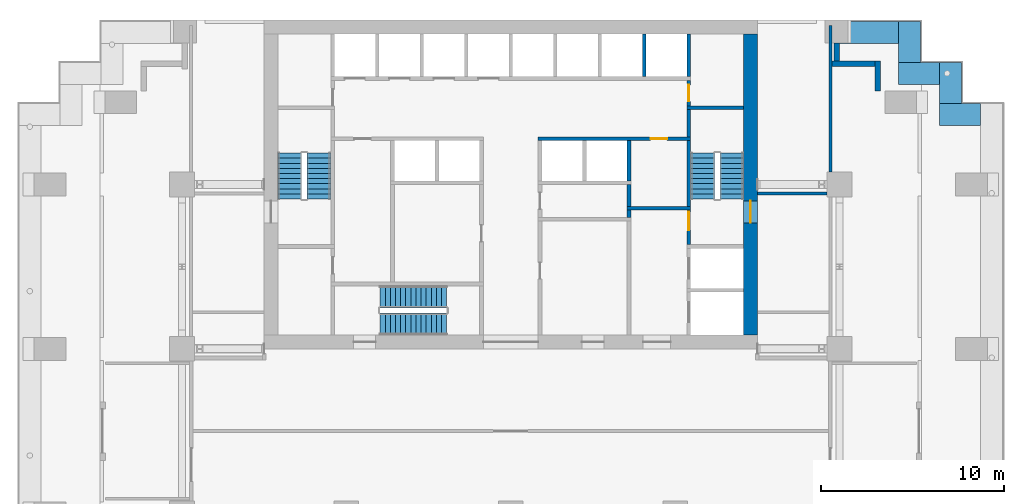
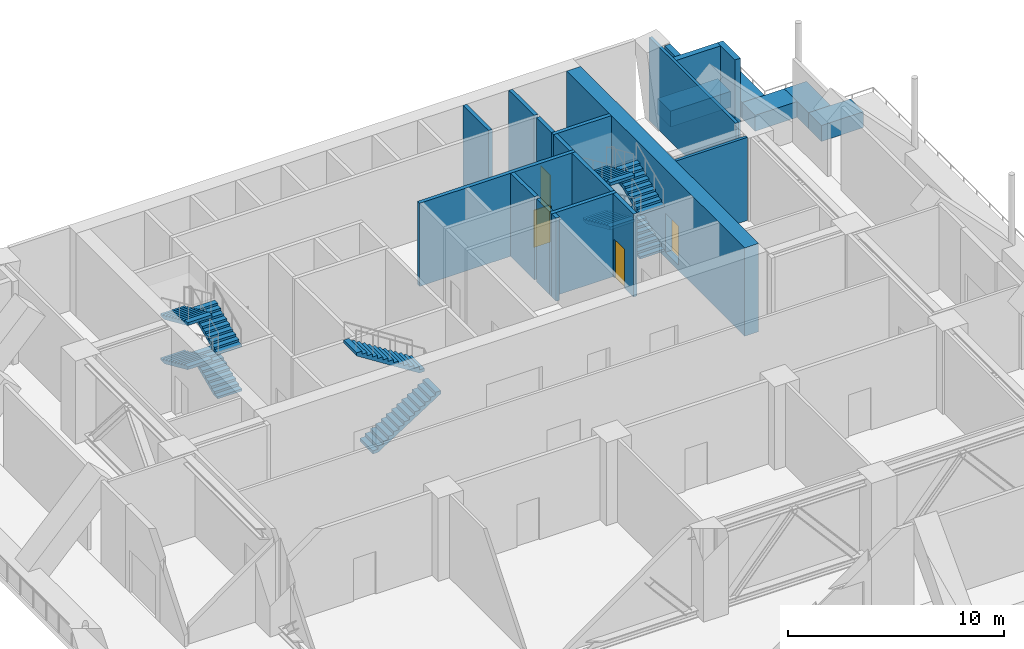
# One storey, part 5 of 9: 23 walls, 10 stair flights, 4 doors, 4 openings, 3 elements without a shape of their own.
"""IFC4 building model written with IfcOpenShell, lengths in metres."""

from ifc_helpers import new_model, si_unit, direction, frame, frame_2d, origin, place, context, subcontext, project, spatial, polyline, rectangle, outline, extrude, material, layer, layer_set, type_object, element, fill, aggregate, save


model = new_model("IFC4")

# Units and contexts
model_context = context("Model", 3, precision=1e-05, world=origin(), true_north=direction((0.0, 1.0)))
body_context = subcontext(model_context, "Body", "Model", "MODEL_VIEW")
ifc_project = project(units=[si_unit("LENGTHUNIT", "METRE"), si_unit("AREAUNIT", "SQUARE_METRE"), si_unit("VOLUMEUNIT", "CUBIC_METRE"), si_unit("PLANEANGLEUNIT", "RADIAN"), si_unit("MASSUNIT", "GRAM", prefix="KILO")], contexts=[model_context])

# Site, building, storey
site_placement = place(None, origin())
site = spatial("IfcSite", under=ifc_project, at=site_placement, CompositionType="ELEMENT")
building_placement = place(site_placement, origin())
building = spatial("IfcBuilding", under=site, at=building_placement, Name="Orbiselva Terraces", CompositionType="ELEMENT")
storey_placement = place(building_placement, frame((0.0, 0.0, 115.0)))
storey = spatial("IfcBuildingStorey", under=building, at=storey_placement, Name="L29", CompositionType="ELEMENT", Elevation=115.0)

# Wall, opening, door
ifc_material_1 = material(Name="Concrete C80/95", Category="concrete")
ifc_layer_1 = layer(ifc_material_1, 0.75)
ifc_layer_set_1 = layer_set([ifc_layer_1], Name="Concrete C80/95")
wall_type_1 = type_object("IfcWallType", Name="CORE WALL 750", PredefinedType="SHEAR", material=ifc_layer_set_1)
wall_1_placement = place(storey_placement, frame((13.125, 5.25, -0.3), z_axis=(0.0, 0.0, 1.0), x_axis=(0.0, 1.0, 0.0)))
wall_1 = element("IfcWall", 1, at=wall_1_placement, inside=storey, type_object=wall_type_1, Name="Core wall L29 east", PredefinedType="SHEAR", context=body_context, shape_type="SweptSolid", body=[
    extrude(rectangle(XDim=16.5, YDim=0.75, at=frame_2d((8.25, 0.0))), origin(), (0.0, 0.0, 1.0), 5.0),
])
opening_1_placement = place(wall_1_placement, frame((6.15, 0.0, 0.3)))
opening_1 = element("IfcOpeningElement", 2, at=opening_1_placement, cuts=wall_1, Name="Opening DS1200", PredefinedType="OPENING", context=body_context, shape_type="SweptSolid", body=[
    extrude(rectangle(XDim=1.2, YDim=2.2, at=frame_2d((0.6, 1.1))), frame((0.0, 0.385, 0.0), z_axis=(0.0, -1.0, 0.0), x_axis=(1.0, 0.0, 0.0)), (0.0, 0.0, 1.0), 0.77),
])
ifc_material_2 = material(Name="Steel fire door", Category="steel")
door_type_1 = type_object("IfcDoorType", Name="STAIR DOOR 1200", OperationType="NOTDEFINED", PredefinedType="DOOR", material=ifc_material_2)
door_1_placement = place(opening_1_placement, frame((1.2, 0.0, 0.0), z_axis=(0.0, 0.0, 1.0), x_axis=(-1.0, 0.0, 0.0)))
door_1 = element("IfcDoor", 3, at=door_1_placement, inside=storey, type_object=door_type_1, Name="L29 EXIT STAIR S2 door", OperationType="SINGLE_SWING_LEFT", OverallHeight=2.2, OverallWidth=1.2, PredefinedType="DOOR", context=body_context, shape_type="SweptSolid", body=[
    extrude(rectangle(XDim=1.2, YDim=2.2, at=frame_2d((0.6, 1.1))), frame((0.0, 0.025, 0.0), z_axis=(0.0, -1.0, 0.0), x_axis=(1.0, 0.0, 0.0)), (0.0, 0.0, 1.0), 0.05),
])
fill(opening_1, door_1)

# Wall
ifc_material_3 = material(Name="Masonry blockwork", Category="masonry")
ifc_layer_2 = layer(ifc_material_3, 0.2)
ifc_layer_set_2 = layer_set([ifc_layer_2], Name="Masonry blockwork")
wall_type_2 = type_object("IfcWallType", Name="CORE-WALL-PARTITION-200", PredefinedType="PARTITIONING", material=ifc_layer_set_2)
wall_2_placement = place(storey_placement, frame((6.475, 12.3, 0.0), z_axis=(0.0, 0.0, 1.0), x_axis=(0.0, 1.0, 0.0)))
element("IfcWall", 4, at=wall_2_placement, inside=storey, type_object=wall_type_2, Name="L29 core wall 35", PredefinedType="PARTITIONING", context=body_context, shape_type="SweptSolid", body=[
    extrude(rectangle(XDim=1.2, YDim=0.2, at=frame_2d((0.6, 0.0))), origin(), (0.0, 0.0, 1.0), 4.7),
])

# Wall, opening, door
wall_3_placement = place(storey_placement, frame((9.75, 19.2, 0.0), z_axis=(0.0, 0.0, 1.0), x_axis=(0.0, -1.0, 0.0)))
wall_3 = element("IfcWall", 5, at=wall_3_placement, inside=storey, type_object=wall_type_2, Name="L29 core wall 46", PredefinedType="PARTITIONING", context=body_context, shape_type="SweptSolid", body=[
    extrude(rectangle(XDim=1.4, YDim=0.2, at=frame_2d((0.7, 0.0))), origin(), (0.0, 0.0, 1.0), 4.7),
])
opening_2_placement = place(wall_3_placement, frame((0.25, 0.0, 0.0)))
opening_2 = element("IfcOpeningElement", 6, at=opening_2_placement, cuts=wall_3, Name="Opening DR900", PredefinedType="OPENING", context=body_context, shape_type="SweptSolid", body=[
    extrude(rectangle(XDim=0.9, YDim=2.1, at=frame_2d((0.45, 1.05))), frame((0.0, 0.11, 0.0), z_axis=(0.0, -1.0, 0.0), x_axis=(1.0, 0.0, 0.0)), (0.0, 0.0, 1.0), 0.22),
])
door_type_2 = type_object("IfcDoorType", Name="ROOM DOOR 900", OperationType="NOTDEFINED", PredefinedType="DOOR", material=ifc_material_2)
door_2_placement = place(opening_2_placement, origin())
door_2 = element("IfcDoor", 7, at=door_2_placement, inside=storey, type_object=door_type_2, Name="L29 REFUGE STAIR LOBBY door", OperationType="SINGLE_SWING_RIGHT", OverallHeight=2.1, OverallWidth=0.9, PredefinedType="DOOR", context=body_context, shape_type="SweptSolid", body=[
    extrude(rectangle(XDim=0.9, YDim=2.1, at=frame_2d((0.45, 1.05))), frame((0.0, 0.025, 0.0), z_axis=(0.0, -1.0, 0.0), x_axis=(1.0, 0.0, 0.0)), (0.0, 0.0, 1.0), 0.05),
])
fill(opening_2, door_2)

# Walls
ifc_material_4 = material(Name="Concrete C40/50", Category="concrete")
ifc_layer_3 = layer(ifc_material_4, 0.2)
ifc_layer_set_3 = layer_set([ifc_layer_3], Name="Concrete C40/50")
wall_type_3 = type_object("IfcWallType", Name="CORE-WALL-SHAFT-200", PredefinedType="PARTITIONING", material=ifc_layer_set_3)
wall_4_placement = place(storey_placement, frame((6.475, 13.7, 0.0), z_axis=(0.0, 0.0, 1.0), x_axis=(0.0, 1.0, 0.0)))
element("IfcWall", 8, at=wall_4_placement, inside=storey, type_object=wall_type_3, Name="L29 core wall 36", PredefinedType="PARTITIONING", context=body_context, shape_type="SweptSolid", body=[
    extrude(rectangle(XDim=2.2, YDim=0.2, at=frame_2d((1.1, 0.0))), origin(), (0.0, 0.0, 1.0), 4.7),
])
for number, where, z_axis, x_axis, name in (
    (9, (7.3125, 19.4, 0.0), (0.0, 0.0, 1.0), (0.0, 1.0, 0.0), "L29 core wall 37"),
    (10, (9.75, 19.4, 0.0), (0.0, 0.0, 1.0), (0.0, 1.0, 0.0), "L29 core wall 47"),
):
    element("IfcWall", number, at=place(storey_placement, frame(where, z_axis=z_axis, x_axis=x_axis)), inside=storey, type_object=wall_type_3, Name=name, PredefinedType="PARTITIONING", context=body_context, shape_type="SweptSolid", body=[
        extrude(rectangle(XDim=2.35, YDim=0.2, at=frame_2d((1.175, 0.0))), origin(), (0.0, 0.0, 1.0), 4.7),
    ])

# Wall, opening, door
ifc_material_5 = material(Name="Concrete C60/75", Category="concrete")
ifc_layer_4 = layer(ifc_material_5, 0.2)
ifc_layer_set_4 = layer_set([ifc_layer_4], Name="Concrete C60/75")
wall_type_4 = type_object("IfcWallType", Name="CORE-WALL-SHEAR-200", PredefinedType="SHEAR", material=ifc_layer_set_4)
wall_5_placement = place(storey_placement, frame((9.85, 16.0, 0.0), z_axis=(0.0, 0.0, 1.0), x_axis=(-1.0, 0.0, 0.0)))
wall_5 = element("IfcWall", 11, at=wall_5_placement, inside=storey, type_object=wall_type_4, Name="L29 core wall 28", PredefinedType="SHEAR", context=body_context, shape_type="SweptSolid", body=[
    extrude(rectangle(XDim=8.35, YDim=0.2, at=frame_2d((4.175, 0.0))), origin(), (0.0, 0.0, 1.0), 4.7),
])
opening_3_placement = place(wall_5_placement, frame((1.2875, 0.0, 0.0)))
opening_3 = element("IfcOpeningElement", 12, at=opening_3_placement, cuts=wall_5, Name="Opening DR900", PredefinedType="OPENING", context=body_context, shape_type="SweptSolid", body=[
    extrude(rectangle(XDim=0.9, YDim=2.1, at=frame_2d((0.45, 1.05))), frame((0.0, 0.11, 0.0), z_axis=(0.0, -1.0, 0.0), x_axis=(1.0, 0.0, 0.0)), (0.0, 0.0, 1.0), 0.22),
])
door_3_placement = place(opening_3_placement, origin())
door_3 = element("IfcDoor", 13, at=door_3_placement, inside=storey, type_object=door_type_2, Name="L29 MECHANICAL VENTILATION ROOM door", OperationType="SINGLE_SWING_LEFT", OverallHeight=2.1, OverallWidth=0.9, PredefinedType="DOOR", context=body_context, shape_type="SweptSolid", body=[
    extrude(rectangle(XDim=0.9, YDim=2.1, at=frame_2d((0.45, 1.05))), frame((0.0, 0.025, 0.0), z_axis=(0.0, -1.0, 0.0), x_axis=(1.0, 0.0, 0.0)), (0.0, 0.0, 1.0), 0.05),
])
fill(opening_3, door_3)

# Walls
wall_6_placement = place(storey_placement, frame((6.475, 11.7, 0.0), z_axis=(0.0, 0.0, 1.0), x_axis=(0.0, 1.0, 0.0)))
element("IfcWall", 14, at=wall_6_placement, inside=storey, type_object=wall_type_4, Name="L29 core wall 33", PredefinedType="SHEAR", context=body_context, shape_type="SweptSolid", body=[
    extrude(rectangle(XDim=0.4, YDim=0.2, at=frame_2d((0.2, 0.0))), origin(), (0.0, 0.0, 1.0), 4.7),
])
wall_7_placement = place(storey_placement, frame((6.375, 12.2, 0.0), z_axis=(0.0, 0.0, 1.0), x_axis=(1.0, 0.0, 0.0)))
element("IfcWall", 15, at=wall_7_placement, inside=storey, type_object=wall_type_4, Name="L29 core wall 34", PredefinedType="SHEAR", context=body_context, shape_type="SweptSolid", body=[
    extrude(rectangle(XDim=3.475, YDim=0.2, at=frame_2d((1.7375, 0.0))), origin(), (0.0, 0.0, 1.0), 4.7),
])

# Wall, opening, door
wall_8_placement = place(storey_placement, frame((9.75, 12.1, 0.0), z_axis=(0.0, 0.0, 1.0), x_axis=(0.0, -1.0, 0.0)))
wall_8 = element("IfcWall", 16, at=wall_8_placement, inside=storey, type_object=wall_type_4, Name="L29 core wall 42", PredefinedType="SHEAR", context=body_context, shape_type="SweptSolid", body=[
    extrude(rectangle(XDim=1.9, YDim=0.2, at=frame_2d((0.95, 0.0))), origin(), (0.0, 0.0, 1.0), 4.7),
])
opening_4_placement = place(wall_8_placement, frame((0.1, 0.0, 0.0)))
opening_4 = element("IfcOpeningElement", 17, at=opening_4_placement, cuts=wall_8, Name="Opening DS1000", PredefinedType="OPENING", context=body_context, shape_type="SweptSolid", body=[
    extrude(rectangle(XDim=1.0, YDim=2.2, at=frame_2d((0.5, 1.1))), frame((0.0, 0.11, 0.0), z_axis=(0.0, -1.0, 0.0), x_axis=(1.0, 0.0, 0.0)), (0.0, 0.0, 1.0), 0.22),
])
door_type_3 = type_object("IfcDoorType", Name="STAIR DOOR 1000", OperationType="NOTDEFINED", PredefinedType="DOOR", material=ifc_material_2)
door_4_placement = place(opening_4_placement, origin())
door_4 = element("IfcDoor", 18, at=door_4_placement, inside=storey, type_object=door_type_3, Name="L29 FIRE-FIGHTING LOBBY TO EXIT STAIR S2 door", OperationType="SINGLE_SWING_LEFT", OverallHeight=2.2, OverallWidth=1.0, PredefinedType="DOOR", context=body_context, shape_type="SweptSolid", body=[
    extrude(rectangle(XDim=1.0, YDim=2.2, at=frame_2d((0.5, 1.1))), frame((0.0, 0.025, 0.0), z_axis=(0.0, -1.0, 0.0), x_axis=(1.0, 0.0, 0.0)), (0.0, 0.0, 1.0), 0.05),
])
fill(opening_4, door_4)

# Walls
wall_9_placement = place(storey_placement, frame((9.75, 12.3, 0.0), z_axis=(0.0, 0.0, 1.0), x_axis=(0.0, 1.0, 0.0)))
element("IfcWall", 19, at=wall_9_placement, inside=storey, type_object=wall_type_4, Name="L29 core wall 43", PredefinedType="SHEAR", context=body_context, shape_type="SweptSolid", body=[
    extrude(rectangle(XDim=3.6, YDim=0.2, at=frame_2d((1.8, 0.0))), origin(), (0.0, 0.0, 1.0), 4.7),
])
wall_10_placement = place(storey_placement, frame((9.75, 16.1, 0.0), z_axis=(0.0, 0.0, 1.0), x_axis=(0.0, 1.0, 0.0)))
element("IfcWall", 20, at=wall_10_placement, inside=storey, type_object=wall_type_4, Name="L29 core wall 44", PredefinedType="SHEAR", context=body_context, shape_type="SweptSolid", body=[
    extrude(rectangle(XDim=1.5, YDim=0.2, at=frame_2d((0.75, 0.0))), origin(), (0.0, 0.0, 1.0), 4.7),
])
wall_11_placement = place(storey_placement, frame((9.65, 17.7, 0.0), z_axis=(0.0, 0.0, 1.0), x_axis=(1.0, 0.0, 0.0)))
element("IfcWall", 21, at=wall_11_placement, inside=storey, type_object=wall_type_4, Name="L29 core wall 45", PredefinedType="SHEAR", context=body_context, shape_type="SweptSolid", body=[
    extrude(rectangle(XDim=3.1, YDim=0.2, at=frame_2d((1.55, 0.0))), origin(), (0.0, 0.0, 1.0), 4.7),
])
ifc_layer_5 = layer(ifc_material_4, 1.2)
ifc_layer_set_5 = layer_set([ifc_layer_5], Name="Concrete C40/50")
wall_type_5 = type_object("IfcWallType", Name="ENV-GARDEN-BED-1200x900", PredefinedType="USERDEFINED", material=ifc_layer_set_5)
for number, where, z_axis, x_axis, name in (
    (22, (25.73, 17.33, 0.0), (0.0, 0.0, 1.0), (-1.0, 0.0, 0.0), "Planter bed L29 ring"),
    (23, (24.08, 17.93, 0.0), (0.0, 0.0, 1.0), (0.0, 1.0, 0.0), "Planter bed L29 ring"),
    (24, (23.48, 19.58, 0.0), (0.0, 0.0, 1.0), (-1.0, 0.0, 0.0), "Planter bed L29 ring"),
    (25, (21.83, 20.18, 0.0), (0.0, 0.0, 1.0), (0.0, 1.0, 0.0), "Planter bed L29 ring"),
):
    element("IfcWall", number, at=place(storey_placement, frame(where, z_axis=z_axis, x_axis=x_axis)), inside=storey, type_object=wall_type_5, Name=name, ObjectType="PLANTER", PredefinedType="USERDEFINED", context=body_context, shape_type="SweptSolid", body=[
        extrude(rectangle(XDim=2.25, YDim=1.2, at=frame_2d((1.125, 0.0))), origin(), (0.0, 0.0, 1.0), 0.9),
    ])
wall_12_placement = place(storey_placement, frame((21.23, 21.83, 0.0), z_axis=(0.0, 0.0, 1.0), x_axis=(-1.0, 0.0, 0.0)))
element("IfcWall", 26, at=wall_12_placement, inside=storey, type_object=wall_type_5, Name="Planter bed L29 ring", ObjectType="PLANTER", PredefinedType="USERDEFINED", context=body_context, shape_type="SweptSolid", body=[
    extrude(rectangle(XDim=3.23, YDim=1.2, at=frame_2d((1.615, 0.0))), origin(), (0.0, 0.0, 1.0), 0.9),
])
ifc_material_6 = material(Name="Terracotta cladding on masonry backing", Category="masonry")
ifc_layer_6 = layer(ifc_material_6, 0.3)
ifc_layer_set_6 = layer_set([ifc_layer_6], Name="Terracotta cladding on masonry backing")
wall_type_6 = type_object("IfcWallType", Name="ENV-WALL-TERRACOTTA-300", PredefinedType="SOLIDWALL", material=ifc_layer_set_6)
wall_13_placement = place(storey_placement, frame((20.1, 20.25, 0.0), z_axis=(0.0, 0.0, 1.0), x_axis=(0.0, -1.0, 0.0)))
element("IfcWall", 27, at=wall_13_placement, inside=storey, type_object=wall_type_6, Name="Facade wall L29 STEP", PredefinedType="SOLIDWALL", context=body_context, shape_type="SweptSolid", body=[
    extrude(rectangle(XDim=1.625, YDim=0.3, at=frame_2d((0.8125, 0.0))), origin(), (0.0, 0.0, 1.0), 4.7),
])
wall_14_placement = place(storey_placement, frame((17.575, 20.1, 0.0), z_axis=(0.0, 0.0, 1.0), x_axis=(1.0, 0.0, 0.0)))
element("IfcWall", 28, at=wall_14_placement, inside=storey, type_object=wall_type_6, Name="Facade wall L29 STEP", PredefinedType="SOLIDWALL", context=body_context, shape_type="SweptSolid", body=[
    extrude(rectangle(XDim=2.375, YDim=0.3, at=frame_2d((1.1875, 0.0))), origin(), (0.0, 0.0, 1.0), 4.7),
])
wall_15_placement = place(storey_placement, frame((17.85, 21.25, 0.0), z_axis=(0.0, 0.0, 1.0), x_axis=(0.0, -1.0, 0.0)))
element("IfcWall", 29, at=wall_15_placement, inside=storey, type_object=wall_type_6, Name="Facade wall L29 STEP", PredefinedType="SOLIDWALL", context=body_context, shape_type="SweptSolid", body=[
    extrude(rectangle(XDim=1.0, YDim=0.3, at=frame_2d((0.5, 0.0))), origin(), (0.0, 0.0, 1.0), 4.7),
])
ifc_material_7 = material(Name="Plasterboard on steel stud partition", Category="steel")
ifc_layer_7 = layer(ifc_material_7, 0.15)
ifc_layer_set_7 = layer_set([ifc_layer_7], Name="Plasterboard on steel stud partition")
wall_type_7 = type_object("IfcWallType", Name="UNIT-PARTITION-150", PredefinedType="PARTITIONING", material=ifc_layer_set_7)
wall_16_placement = place(storey_placement, frame((13.5, 13.0, 0.0), z_axis=(0.0, 0.0, 1.0), x_axis=(1.0, 0.0, 0.0)))
element("IfcWall", 30, at=wall_16_placement, inside=storey, type_object=wall_type_7, Name="PARTITION L29-019", PredefinedType="PARTITIONING", context=body_context, shape_type="SweptSolid", body=[
    extrude(rectangle(XDim=3.825, YDim=0.15, at=frame_2d((1.9125, 0.0))), origin(), (0.0, 0.0, 1.0), 4.7),
])
wall_17_placement = place(storey_placement, frame((17.5, 14.175, 0.0), z_axis=(0.0, 0.0, 1.0), x_axis=(0.0, 1.0, 0.0)))
element("IfcWall", 31, at=wall_17_placement, inside=storey, type_object=wall_type_7, Name="PARTITION L29-034", PredefinedType="PARTITIONING", context=body_context, shape_type="SweptSolid", body=[
    extrude(rectangle(XDim=8.025, YDim=0.15, at=frame_2d((4.0125, 0.0))), origin(), (0.0, 0.0, 1.0), 4.7),
])

# Stair, stair flights
stair_type_1 = type_object("IfcStairType", Name="CORE-STAIR-1200", PredefinedType="HALF_TURN_STAIR", material=ifc_material_4)
stair_1_placement = place(storey_placement, origin())
stair_1 = element("IfcStair", 32, at=stair_1_placement, inside=storey, type_object=stair_type_1, Name="L29 Exit Stair S3", PredefinedType="HALF_TURN_STAIR")
stair_flight_type_1 = type_object("IfcStairFlightType", Name="CORE-STAIR-FLIGHT-1200", PredefinedType="STRAIGHT", material=ifc_material_4)
stair_flight_1_placement = place(storey_placement, frame((-7.15, 5.85, 0.0), z_axis=(0.0, 0.0, 1.0), x_axis=(1.0, 0.0, 0.0)))
stair_flight_1 = element("IfcStairFlight", 33, at=stair_flight_1_placement, type_object=stair_flight_type_1, Name="S3 flight 1", NumberOfRisers=14, NumberOfTreads=13, PredefinedType="STRAIGHT", RiserHeight=0.178571429, TreadLength=0.28, context=body_context, shape_type="SweptSolid", body=[
    extrude(outline(polyline([(0.0, 0.0), (0.0, 0.178571), (0.28, 0.178571), (0.28, 0.357143), (0.56, 0.357143), (0.56, 0.535714), (0.84, 0.535714), (0.84, 0.714286), (1.12, 0.714286), (1.12, 0.892857), (1.4, 0.892857), (1.4, 1.071429), (1.68, 1.071429), (1.68, 1.25), (1.96, 1.25), (1.96, 1.428571), (2.24, 1.428571), (2.24, 1.607143), (2.52, 1.607143), (2.52, 1.785714), (2.8, 1.785714), (2.8, 1.964286), (3.08, 1.964286), (3.08, 2.142857), (3.36, 2.142857), (3.36, 2.321429), (3.64, 2.321429), (3.64, 2.5), (3.64, 2.14352), (0.278961, 0.0), (0.0, 0.0)])), frame((0.0, 0.6, 0.0), z_axis=(0.0, -1.0, 0.0), x_axis=(1.0, 0.0, 0.0)), (0.0, 0.0, 1.0), 1.2),
])
stair_flight_2_placement = place(storey_placement, frame((-3.51, 7.35, 2.5), z_axis=(0.0, 0.0, 1.0), x_axis=(-1.0, 0.0, 0.0)))
stair_flight_2 = element("IfcStairFlight", 34, at=stair_flight_2_placement, type_object=stair_flight_type_1, Name="S3 flight 2", NumberOfRisers=14, NumberOfTreads=13, PredefinedType="STRAIGHT", RiserHeight=0.178571429, TreadLength=0.28, context=body_context, shape_type="SweptSolid", body=[
    extrude(outline(polyline([(0.0, 0.0), (0.0, 0.178571), (0.28, 0.178571), (0.28, 0.357143), (0.56, 0.357143), (0.56, 0.535714), (0.84, 0.535714), (0.84, 0.714286), (1.12, 0.714286), (1.12, 0.892857), (1.4, 0.892857), (1.4, 1.071429), (1.68, 1.071429), (1.68, 1.25), (1.96, 1.25), (1.96, 1.428571), (2.24, 1.428571), (2.24, 1.607143), (2.52, 1.607143), (2.52, 1.785714), (2.8, 1.785714), (2.8, 1.964286), (3.08, 1.964286), (3.08, 2.142857), (3.36, 2.142857), (3.36, 2.321429), (3.64, 2.321429), (3.64, 2.5), (3.64, 2.14352), (0.278961, 0.0), (0.0, 0.0)])), frame((0.0, 0.6, 0.0), z_axis=(0.0, -1.0, 0.0), x_axis=(1.0, 0.0, 0.0)), (0.0, 0.0, 1.0), 1.2),
])
aggregate(stair_1, [stair_flight_1, stair_flight_2])

stair_type_2 = type_object("IfcStairType", Name="CORE-STAIR-1300", PredefinedType="HALF_TURN_STAIR", material=ifc_material_4)
stair_2_placement = place(storey_placement, origin())
stair_2 = element("IfcStair", 35, at=stair_2_placement, inside=storey, type_object=stair_type_2, Name="L29 Exit Stair S1", PredefinedType="HALF_TURN_STAIR")
stair_flight_type_2 = type_object("IfcStairFlightType", Name="CORE-STAIR-FLIGHT-1300", PredefinedType="STRAIGHT", material=ifc_material_4)
stair_flight_3_placement = place(storey_placement, frame((-10.5, 12.7, 0.0), z_axis=(0.0, 0.0, 1.0), x_axis=(0.0, 1.0, 0.0)))
stair_flight_3 = element("IfcStairFlight", 36, at=stair_flight_3_placement, type_object=stair_flight_type_2, Name="S1 flight 1", NumberOfRisers=10, NumberOfTreads=9, PredefinedType="STRAIGHT", RiserHeight=0.125, TreadLength=0.28, context=body_context, shape_type="SweptSolid", body=[
    extrude(outline(polyline([(0.0, 0.0), (0.0, 0.125), (0.28, 0.125), (0.28, 0.25), (0.56, 0.25), (0.56, 0.375), (0.84, 0.375), (0.84, 0.5), (1.12, 0.5), (1.12, 0.625), (1.4, 0.625), (1.4, 0.75), (1.68, 0.75), (1.68, 0.875), (1.96, 0.875), (1.96, 1.0), (2.24, 1.0), (2.24, 1.125), (2.52, 1.125), (2.52, 1.25), (2.52, 0.960731), (0.367962, 0.0), (0.0, 0.0)])), frame((0.0, 0.65, 0.0), z_axis=(0.0, -1.0, 0.0), x_axis=(1.0, 0.0, 0.0)), (0.0, 0.0, 1.0), 1.3),
])
stair_flight_4_placement = place(storey_placement, frame((-12.1, 15.22, 1.25), z_axis=(0.0, 0.0, 1.0), x_axis=(0.0, -1.0, 0.0)))
stair_flight_4 = element("IfcStairFlight", 37, at=stair_flight_4_placement, type_object=stair_flight_type_2, Name="S1 flight 2", NumberOfRisers=10, NumberOfTreads=9, PredefinedType="STRAIGHT", RiserHeight=0.125, TreadLength=0.28, context=body_context, shape_type="SweptSolid", body=[
    extrude(outline(polyline([(0.0, 0.0), (0.0, 0.125), (0.28, 0.125), (0.28, 0.25), (0.56, 0.25), (0.56, 0.375), (0.84, 0.375), (0.84, 0.5), (1.12, 0.5), (1.12, 0.625), (1.4, 0.625), (1.4, 0.75), (1.68, 0.75), (1.68, 0.875), (1.96, 0.875), (1.96, 1.0), (2.24, 1.0), (2.24, 1.125), (2.52, 1.125), (2.52, 1.25), (2.52, 0.960731), (0.367962, 0.0), (0.0, 0.0)])), frame((0.0, 0.65, 0.0), z_axis=(0.0, -1.0, 0.0), x_axis=(1.0, 0.0, 0.0)), (0.0, 0.0, 1.0), 1.3),
])
stair_flight_5_placement = place(storey_placement, frame((-10.5, 12.7, 2.5), z_axis=(0.0, 0.0, 1.0), x_axis=(0.0, 1.0, 0.0)))
stair_flight_5 = element("IfcStairFlight", 38, at=stair_flight_5_placement, type_object=stair_flight_type_2, Name="S1 flight 3", NumberOfRisers=10, NumberOfTreads=9, PredefinedType="STRAIGHT", RiserHeight=0.125, TreadLength=0.28, context=body_context, shape_type="SweptSolid", body=[
    extrude(outline(polyline([(0.0, 0.0), (0.0, 0.125), (0.28, 0.125), (0.28, 0.25), (0.56, 0.25), (0.56, 0.375), (0.84, 0.375), (0.84, 0.5), (1.12, 0.5), (1.12, 0.625), (1.4, 0.625), (1.4, 0.75), (1.68, 0.75), (1.68, 0.875), (1.96, 0.875), (1.96, 1.0), (2.24, 1.0), (2.24, 1.125), (2.52, 1.125), (2.52, 1.25), (2.52, 0.960731), (0.367962, 0.0), (0.0, 0.0)])), frame((0.0, 0.65, 0.0), z_axis=(0.0, -1.0, 0.0), x_axis=(1.0, 0.0, 0.0)), (0.0, 0.0, 1.0), 1.3),
])
stair_flight_6_placement = place(storey_placement, frame((-12.1, 15.22, 3.75), z_axis=(0.0, 0.0, 1.0), x_axis=(0.0, -1.0, 0.0)))
stair_flight_6 = element("IfcStairFlight", 39, at=stair_flight_6_placement, type_object=stair_flight_type_2, Name="S1 flight 4", NumberOfRisers=10, NumberOfTreads=9, PredefinedType="STRAIGHT", RiserHeight=0.125, TreadLength=0.28, context=body_context, shape_type="SweptSolid", body=[
    extrude(outline(polyline([(0.0, 0.0), (0.0, 0.125), (0.28, 0.125), (0.28, 0.25), (0.56, 0.25), (0.56, 0.375), (0.84, 0.375), (0.84, 0.5), (1.12, 0.5), (1.12, 0.625), (1.4, 0.625), (1.4, 0.75), (1.68, 0.75), (1.68, 0.875), (1.96, 0.875), (1.96, 1.0), (2.24, 1.0), (2.24, 1.125), (2.52, 1.125), (2.52, 1.25), (2.52, 0.960731), (0.367962, 0.0), (0.0, 0.0)])), frame((0.0, 0.65, 0.0), z_axis=(0.0, -1.0, 0.0), x_axis=(1.0, 0.0, 0.0)), (0.0, 0.0, 1.0), 1.3),
])
aggregate(stair_2, [stair_flight_3, stair_flight_4, stair_flight_5, stair_flight_6])

stair_3_placement = place(storey_placement, origin())
stair_3 = element("IfcStair", 40, at=stair_3_placement, inside=storey, type_object=stair_type_2, Name="L29 Exit Stair S2", PredefinedType="HALF_TURN_STAIR")
stair_flight_7_placement = place(storey_placement, frame((12.1, 12.7, 0.0), z_axis=(0.0, 0.0, 1.0), x_axis=(0.0, 1.0, 0.0)))
stair_flight_7 = element("IfcStairFlight", 41, at=stair_flight_7_placement, type_object=stair_flight_type_2, Name="S2 flight 1", NumberOfRisers=10, NumberOfTreads=9, PredefinedType="STRAIGHT", RiserHeight=0.125, TreadLength=0.28, context=body_context, shape_type="SweptSolid", body=[
    extrude(outline(polyline([(0.0, 0.0), (0.0, 0.125), (0.28, 0.125), (0.28, 0.25), (0.56, 0.25), (0.56, 0.375), (0.84, 0.375), (0.84, 0.5), (1.12, 0.5), (1.12, 0.625), (1.4, 0.625), (1.4, 0.75), (1.68, 0.75), (1.68, 0.875), (1.96, 0.875), (1.96, 1.0), (2.24, 1.0), (2.24, 1.125), (2.52, 1.125), (2.52, 1.25), (2.52, 0.960731), (0.367962, 0.0), (0.0, 0.0)])), frame((0.0, 0.65, 0.0), z_axis=(0.0, -1.0, 0.0), x_axis=(1.0, 0.0, 0.0)), (0.0, 0.0, 1.0), 1.3),
])
stair_flight_8_placement = place(storey_placement, frame((10.5, 15.22, 1.25), z_axis=(0.0, 0.0, 1.0), x_axis=(0.0, -1.0, 0.0)))
stair_flight_8 = element("IfcStairFlight", 42, at=stair_flight_8_placement, type_object=stair_flight_type_2, Name="S2 flight 2", NumberOfRisers=10, NumberOfTreads=9, PredefinedType="STRAIGHT", RiserHeight=0.125, TreadLength=0.28, context=body_context, shape_type="SweptSolid", body=[
    extrude(outline(polyline([(0.0, 0.0), (0.0, 0.125), (0.28, 0.125), (0.28, 0.25), (0.56, 0.25), (0.56, 0.375), (0.84, 0.375), (0.84, 0.5), (1.12, 0.5), (1.12, 0.625), (1.4, 0.625), (1.4, 0.75), (1.68, 0.75), (1.68, 0.875), (1.96, 0.875), (1.96, 1.0), (2.24, 1.0), (2.24, 1.125), (2.52, 1.125), (2.52, 1.25), (2.52, 0.960731), (0.367962, 0.0), (0.0, 0.0)])), frame((0.0, 0.65, 0.0), z_axis=(0.0, -1.0, 0.0), x_axis=(1.0, 0.0, 0.0)), (0.0, 0.0, 1.0), 1.3),
])
stair_flight_9_placement = place(storey_placement, frame((12.1, 12.7, 2.5), z_axis=(0.0, 0.0, 1.0), x_axis=(0.0, 1.0, 0.0)))
stair_flight_9 = element("IfcStairFlight", 43, at=stair_flight_9_placement, type_object=stair_flight_type_2, Name="S2 flight 3", NumberOfRisers=10, NumberOfTreads=9, PredefinedType="STRAIGHT", RiserHeight=0.125, TreadLength=0.28, context=body_context, shape_type="SweptSolid", body=[
    extrude(outline(polyline([(0.0, 0.0), (0.0, 0.125), (0.28, 0.125), (0.28, 0.25), (0.56, 0.25), (0.56, 0.375), (0.84, 0.375), (0.84, 0.5), (1.12, 0.5), (1.12, 0.625), (1.4, 0.625), (1.4, 0.75), (1.68, 0.75), (1.68, 0.875), (1.96, 0.875), (1.96, 1.0), (2.24, 1.0), (2.24, 1.125), (2.52, 1.125), (2.52, 1.25), (2.52, 0.960731), (0.367962, 0.0), (0.0, 0.0)])), frame((0.0, 0.65, 0.0), z_axis=(0.0, -1.0, 0.0), x_axis=(1.0, 0.0, 0.0)), (0.0, 0.0, 1.0), 1.3),
])
stair_flight_10_placement = place(storey_placement, frame((10.5, 15.22, 3.75), z_axis=(0.0, 0.0, 1.0), x_axis=(0.0, -1.0, 0.0)))
stair_flight_10 = element("IfcStairFlight", 44, at=stair_flight_10_placement, type_object=stair_flight_type_2, Name="S2 flight 4", NumberOfRisers=10, NumberOfTreads=9, PredefinedType="STRAIGHT", RiserHeight=0.125, TreadLength=0.28, context=body_context, shape_type="SweptSolid", body=[
    extrude(outline(polyline([(0.0, 0.0), (0.0, 0.125), (0.28, 0.125), (0.28, 0.25), (0.56, 0.25), (0.56, 0.375), (0.84, 0.375), (0.84, 0.5), (1.12, 0.5), (1.12, 0.625), (1.4, 0.625), (1.4, 0.75), (1.68, 0.75), (1.68, 0.875), (1.96, 0.875), (1.96, 1.0), (2.24, 1.0), (2.24, 1.125), (2.52, 1.125), (2.52, 1.25), (2.52, 0.960731), (0.367962, 0.0), (0.0, 0.0)])), frame((0.0, 0.65, 0.0), z_axis=(0.0, -1.0, 0.0), x_axis=(1.0, 0.0, 0.0)), (0.0, 0.0, 1.0), 1.3),
])
aggregate(stair_3, [stair_flight_7, stair_flight_8, stair_flight_9, stair_flight_10])

save(model, "model.ifc")
